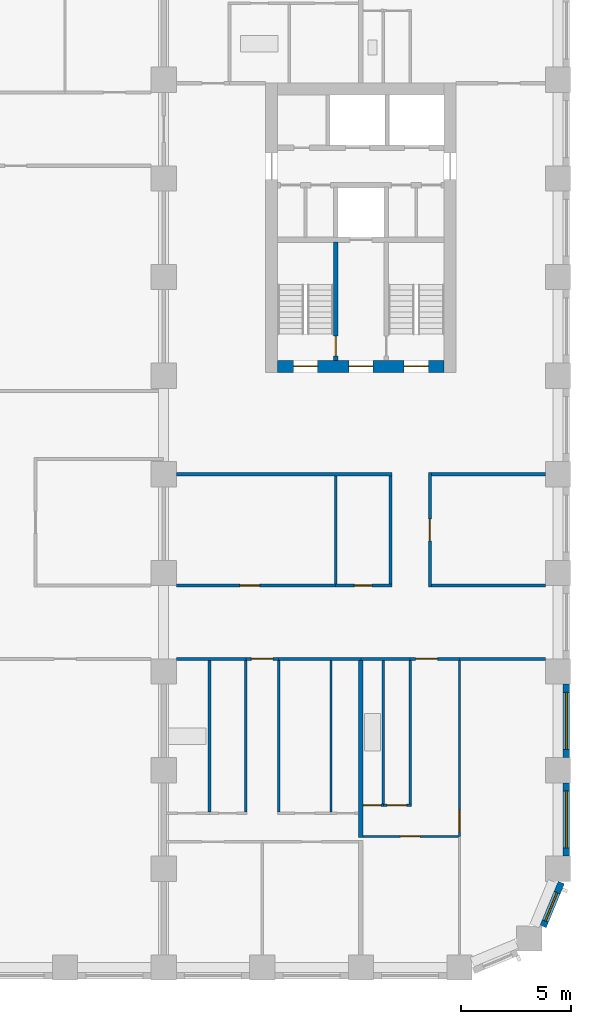
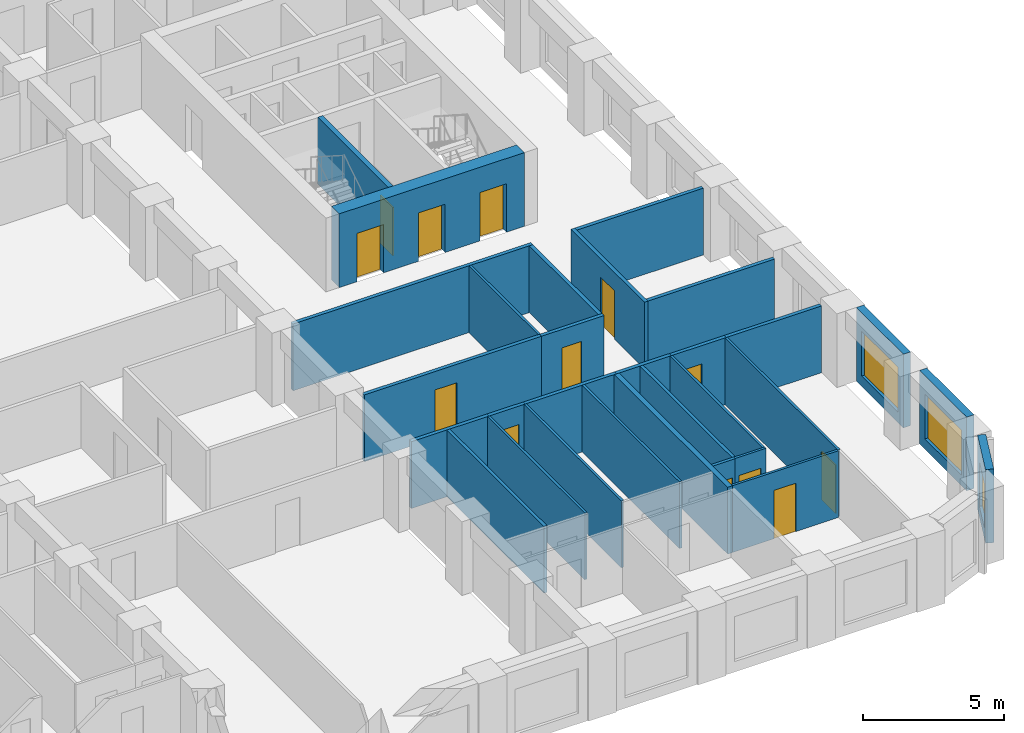
# One storey, part 5 of 12: 30 walls, 13 doors, 3 windows, 16 openings.
"""IFC4 building model written with IfcOpenShell, lengths in metres."""

from ifc_helpers import new_model, si_unit, direction, frame, frame_2d, origin, place, context, subcontext, project, spatial, rectangle, extrude, material, layer, layer_set, type_object, element, fill, save


model = new_model("IFC4")

# Units and contexts
model_context = context("Model", 3, precision=1e-05, world=origin(), true_north=direction((0.0, 1.0)))
body_context = subcontext(model_context, "Body", "Model", "MODEL_VIEW")
ifc_project = project(units=[si_unit("LENGTHUNIT", "METRE"), si_unit("AREAUNIT", "SQUARE_METRE"), si_unit("VOLUMEUNIT", "CUBIC_METRE"), si_unit("PLANEANGLEUNIT", "RADIAN"), si_unit("MASSUNIT", "GRAM", prefix="KILO")], contexts=[model_context])

# Site, building, storey
site_placement = place(None, origin())
site = spatial("IfcSite", under=ifc_project, at=site_placement, CompositionType="ELEMENT")
building_placement = place(site_placement, origin())
building = spatial("IfcBuilding", under=site, at=building_placement, Name="Girih Gate Residences", CompositionType="ELEMENT")
storey_placement = place(building_placement, frame((0.0, 0.0, 112.0)))
storey = spatial("IfcBuildingStorey", under=building, at=storey_placement, Name="L31", CompositionType="ELEMENT", Elevation=112.0)

# Wall
ifc_material_1 = material(Name="Gypsum board on steel studs", Category="steel")
ifc_layer_1 = layer(ifc_material_1, 0.14990234375)
ifc_layer_set_1 = layer_set([ifc_layer_1], Name="Compartment wall 150 mm")
wall_type_1 = type_object("IfcWallType", Name="Compartment wall 150 mm", PredefinedType="PARTITIONING", material=ifc_layer_set_1)
wall_1_placement = place(storey_placement, frame((40.5, 14.074951171875, 0.0), z_axis=(0.0, 0.0, 1.0), x_axis=(1.0, 0.0, 0.0)))
element("IfcWall", 1, at=wall_1_placement, inside=storey, type_object=wall_type_1, Name="L31 partition", PredefinedType="PARTITIONING", context=body_context, shape_type="SweptSolid", body=[
    extrude(rectangle(XDim=2.25, YDim=0.14990234375, at=frame_2d((1.125, 0.0))), origin(), (0.0, 0.0, 1.0), 2.89990234375),
])

# Wall, opening, door
wall_2_placement = place(storey_placement, frame((45.0, 14.074951171875, 0.0), z_axis=(0.0, 0.0, 1.0), x_axis=(-1.0, 0.0, 0.0)))
wall_2 = element("IfcWall", 2, at=wall_2_placement, inside=storey, type_object=wall_type_1, Name="L31 partition", PredefinedType="PARTITIONING", context=body_context, shape_type="SweptSolid", body=[
    extrude(rectangle(XDim=2.25, YDim=0.14990234375, at=frame_2d((1.125, 0.0))), origin(), (0.0, 0.0, 1.0), 2.89990234375),
])
opening_1_placement = place(wall_2_placement, frame((1.0, 0.0, 0.0)))
opening_1 = element("IfcOpeningElement", 3, at=opening_1_placement, cuts=wall_2, Name="Opening A31-021", PredefinedType="OPENING", context=body_context, shape_type="SweptSolid", body=[
    extrude(rectangle(XDim=1.0, YDim=2.10009765625, at=frame_2d((0.5, 1.050048828125))), frame((0.0, 0.0849609375, 0.0), z_axis=(0.0, -1.0, 0.0), x_axis=(1.0, 0.0, 0.0)), (0.0, 0.0, 1.0), 0.169921875),
])
ifc_material_2 = material(Name="Timber, fire-rated core", Category="wood")
door_type_1 = type_object("IfcDoorType", Name="Flat entrance door 1000x2100 FD30S", OperationType="NOTDEFINED", PredefinedType="DOOR", material=ifc_material_2)
door_1_placement = place(opening_1_placement, origin())
door_1 = element("IfcDoor", 4, at=door_1_placement, inside=storey, type_object=door_type_1, Name="Door A31-021", OperationType="SINGLE_SWING_RIGHT", OverallHeight=2.10009765625, OverallWidth=1.0, PredefinedType="DOOR", context=body_context, shape_type="SweptSolid", body=[
    extrude(rectangle(XDim=1.0, YDim=2.10009765625, at=frame_2d((0.5, 1.050048828125))), frame((0.0, 0.02490234375, 0.0), z_axis=(0.0, -1.0, 0.0), x_axis=(1.0, 0.0, 0.0)), (0.0, 0.0, 1.0), 0.050048828125),
])
fill(opening_1, door_1)

# Walls
wall_3_placement = place(storey_placement, frame((45.0, 14.074951171875, 0.0), z_axis=(0.0, 0.0, 1.0), x_axis=(1.0, 0.0, 0.0)))
element("IfcWall", 5, at=wall_3_placement, inside=storey, type_object=wall_type_1, Name="L31 partition", PredefinedType="PARTITIONING", context=body_context, shape_type="SweptSolid", body=[
    extrude(rectangle(XDim=3.925048828125, YDim=0.14990234375, at=frame_2d((1.96240234375, 0.0))), origin(), (0.0, 0.0, 1.0), 2.89990234375),
])
wall_4_placement = place(storey_placement, frame((32.074951171875, 14.074951171875, 0.0), z_axis=(0.0, 0.0, 1.0), x_axis=(1.0, 0.0, 0.0)))
element("IfcWall", 6, at=wall_4_placement, inside=storey, type_object=wall_type_1, Name="L31 partition", PredefinedType="PARTITIONING", context=body_context, shape_type="SweptSolid", body=[
    extrude(rectangle(XDim=3.175048828125, YDim=0.14990234375, at=frame_2d((1.58740234375, 0.0))), origin(), (0.0, 0.0, 1.0), 2.89990234375),
])

# Wall, opening, door
wall_5_placement = place(storey_placement, frame((36.75, 14.074951171875, 0.0), z_axis=(0.0, 0.0, 1.0), x_axis=(-1.0, 0.0, 0.0)))
wall_5 = element("IfcWall", 7, at=wall_5_placement, inside=storey, type_object=wall_type_1, Name="L31 partition", PredefinedType="PARTITIONING", context=body_context, shape_type="SweptSolid", body=[
    extrude(rectangle(XDim=1.5, YDim=0.14990234375, at=frame_2d((0.75, 0.0))), origin(), (0.0, 0.0, 1.0), 2.89990234375),
])
opening_2_placement = place(wall_5_placement, frame((0.25, 0.0, 0.0)))
opening_2 = element("IfcOpeningElement", 8, at=opening_2_placement, cuts=wall_5, Name="Opening A31-028", PredefinedType="OPENING", context=body_context, shape_type="SweptSolid", body=[
    extrude(rectangle(XDim=1.0, YDim=2.10009765625, at=frame_2d((0.5, 1.050048828125))), frame((0.0, 0.0849609375, 0.0), z_axis=(0.0, -1.0, 0.0), x_axis=(1.0, 0.0, 0.0)), (0.0, 0.0, 1.0), 0.169921875),
])
door_2_placement = place(opening_2_placement, origin())
door_2 = element("IfcDoor", 9, at=door_2_placement, inside=storey, type_object=door_type_1, Name="Door A31-028", OperationType="SINGLE_SWING_RIGHT", OverallHeight=2.10009765625, OverallWidth=1.0, PredefinedType="DOOR", context=body_context, shape_type="SweptSolid", body=[
    extrude(rectangle(XDim=1.0, YDim=2.10009765625, at=frame_2d((0.5, 1.050048828125))), frame((0.0, 0.02490234375, 0.0), z_axis=(0.0, -1.0, 0.0), x_axis=(1.0, 0.0, 0.0)), (0.0, 0.0, 1.0), 0.050048828125),
])
fill(opening_2, door_2)

# Wall
wall_6_placement = place(storey_placement, frame((36.75, 14.074951171875, 0.0), z_axis=(0.0, 0.0, 1.0), x_axis=(1.0, 0.0, 0.0)))
element("IfcWall", 10, at=wall_6_placement, inside=storey, type_object=wall_type_1, Name="L31 partition", PredefinedType="PARTITIONING", context=body_context, shape_type="SweptSolid", body=[
    extrude(rectangle(XDim=3.75, YDim=0.14990234375, at=frame_2d((1.875, 0.0))), origin(), (0.0, 0.0, 1.0), 2.89990234375),
])

# Wall, opening, door
wall_7_placement = place(storey_placement, frame((32.074951171875, 17.425048828125, 0.0), z_axis=(0.0, 0.0, 1.0), x_axis=(1.0, 0.0, 0.0)))
wall_7 = element("IfcWall", 11, at=wall_7_placement, inside=storey, type_object=wall_type_1, Name="L31 partition", PredefinedType="PARTITIONING", context=body_context, shape_type="SweptSolid", body=[
    extrude(rectangle(XDim=7.275146484375, YDim=0.14990234375, at=frame_2d((3.6376953125, 0.0))), origin(), (0.0, 0.0, 1.0), 2.89990234375),
])
opening_3_placement = place(wall_7_placement, frame((2.89990234375, 0.0, 0.0)))
opening_3 = element("IfcOpeningElement", 12, at=opening_3_placement, cuts=wall_7, Name="Opening A31-048", PredefinedType="OPENING", context=body_context, shape_type="SweptSolid", body=[
    extrude(rectangle(XDim=0.89990234375, YDim=2.10009765625, at=frame_2d((0.449951171875, 1.050048828125))), frame((0.0, 0.0849609375, 0.0), z_axis=(0.0, -1.0, 0.0), x_axis=(1.0, 0.0, 0.0)), (0.0, 0.0, 1.0), 0.169921875),
])
ifc_material_3 = material(Name="Timber", Category="wood")
door_type_2 = type_object("IfcDoorType", Name="Service room door 900x2100", OperationType="NOTDEFINED", PredefinedType="DOOR", material=ifc_material_3)
door_3_placement = place(opening_3_placement, origin())
door_3 = element("IfcDoor", 13, at=door_3_placement, inside=storey, type_object=door_type_2, Name="Door A31-048", OperationType="SINGLE_SWING_LEFT", OverallHeight=2.10009765625, OverallWidth=0.89990234375, PredefinedType="DOOR", context=body_context, shape_type="SweptSolid", body=[
    extrude(rectangle(XDim=0.89990234375, YDim=2.10009765625, at=frame_2d((0.449951171875, 1.050048828125))), frame((0.0, 0.02490234375, 0.0), z_axis=(0.0, -1.0, 0.0), x_axis=(1.0, 0.0, 0.0)), (0.0, 0.0, 1.0), 0.050048828125),
])
fill(opening_3, door_3)

wall_8_placement = place(storey_placement, frame((39.35009765625, 17.425048828125, 0.0), z_axis=(0.0, 0.0, 1.0), x_axis=(1.0, 0.0, 0.0)))
wall_8 = element("IfcWall", 14, at=wall_8_placement, inside=storey, type_object=wall_type_1, Name="L31 partition", PredefinedType="PARTITIONING", context=body_context, shape_type="SweptSolid", body=[
    extrude(rectangle(XDim=2.574951171875, YDim=0.14990234375, at=frame_2d((1.28759765625, 0.0))), origin(), (0.0, 0.0, 1.0), 2.89990234375),
])
opening_4_placement = place(wall_8_placement, frame((0.85009765625, 0.0, 0.0)))
opening_4 = element("IfcOpeningElement", 15, at=opening_4_placement, cuts=wall_8, Name="Opening A31-050", PredefinedType="OPENING", context=body_context, shape_type="SweptSolid", body=[
    extrude(rectangle(XDim=0.800048828125, YDim=2.10009765625, at=frame_2d((0.39990234375, 1.050048828125))), frame((0.0, 0.0849609375, 0.0), z_axis=(0.0, -1.0, 0.0), x_axis=(1.0, 0.0, 0.0)), (0.0, 0.0, 1.0), 0.169921875),
])
door_type_3 = type_object("IfcDoorType", Name="Bathroom door 800x2100", OperationType="NOTDEFINED", PredefinedType="DOOR", material=ifc_material_3)
door_4_placement = place(opening_4_placement, origin())
door_4 = element("IfcDoor", 16, at=door_4_placement, inside=storey, type_object=door_type_3, Name="Door A31-050", OperationType="SINGLE_SWING_LEFT", OverallHeight=2.10009765625, OverallWidth=0.800048828125, PredefinedType="DOOR", context=body_context, shape_type="SweptSolid", body=[
    extrude(rectangle(XDim=0.800048828125, YDim=2.10009765625, at=frame_2d((0.39990234375, 1.050048828125))), frame((0.0, 0.02490234375, 0.0), z_axis=(0.0, -1.0, 0.0), x_axis=(1.0, 0.0, 0.0)), (0.0, 0.0, 1.0), 0.050048828125),
])
fill(opening_4, door_4)

# Walls
wall_9_placement = place(storey_placement, frame((43.72509765625, 17.425048828125, 0.0), z_axis=(0.0, 0.0, 1.0), x_axis=(1.0, 0.0, 0.0)))
element("IfcWall", 17, at=wall_9_placement, inside=storey, type_object=wall_type_1, Name="L31 partition", PredefinedType="PARTITIONING", context=body_context, shape_type="SweptSolid", body=[
    extrude(rectangle(XDim=5.199951171875, YDim=0.14990234375, at=frame_2d((2.60009765625, 0.0))), origin(), (0.0, 0.0, 1.0), 2.89990234375),
])
wall_10_placement = place(storey_placement, frame((32.074951171875, 22.5, 0.0), z_axis=(0.0, 0.0, 1.0), x_axis=(1.0, 0.0, 0.0)))
element("IfcWall", 18, at=wall_10_placement, inside=storey, type_object=wall_type_1, Name="L31 partition", PredefinedType="PARTITIONING", context=body_context, shape_type="SweptSolid", body=[
    extrude(rectangle(XDim=9.85009765625, YDim=0.14990234375, at=frame_2d((4.925048828125, 0.0))), origin(), (0.0, 0.0, 1.0), 2.89990234375),
])
wall_11_placement = place(storey_placement, frame((43.72509765625, 22.5, 0.0), z_axis=(0.0, 0.0, 1.0), x_axis=(1.0, 0.0, 0.0)))
element("IfcWall", 19, at=wall_11_placement, inside=storey, type_object=wall_type_1, Name="L31 partition", PredefinedType="PARTITIONING", context=body_context, shape_type="SweptSolid", body=[
    extrude(rectangle(XDim=5.199951171875, YDim=0.14990234375, at=frame_2d((2.60009765625, 0.0))), origin(), (0.0, 0.0, 1.0), 2.89990234375),
])
wall_12_placement = place(storey_placement, frame((41.85009765625, 17.5, 0.0), z_axis=(0.0, 0.0, 1.0), x_axis=(0.0, 1.0, 0.0)))
element("IfcWall", 20, at=wall_12_placement, inside=storey, type_object=wall_type_1, Name="L31 partition", PredefinedType="PARTITIONING", context=body_context, shape_type="SweptSolid", body=[
    extrude(rectangle(XDim=4.925048828125, YDim=0.14990234375, at=frame_2d((2.46240234375, 0.0))), origin(), (0.0, 0.0, 1.0), 2.89990234375),
])

# Wall, opening, door
wall_13_placement = place(storey_placement, frame((43.64990234375, 22.574951171875, 0.0), z_axis=(0.0, 0.0, 1.0), x_axis=(0.0, -1.0, 0.0)))
wall_13 = element("IfcWall", 21, at=wall_13_placement, inside=storey, type_object=wall_type_1, Name="L31 partition", PredefinedType="PARTITIONING", context=body_context, shape_type="SweptSolid", body=[
    extrude(rectangle(XDim=5.224853515625, YDim=0.14990234375, at=frame_2d((2.6123046875, 0.0))), origin(), (0.0, 0.0, 1.0), 2.89990234375),
])
opening_5_placement = place(wall_13_placement, frame((2.112548828125, 0.0, 0.0)))
opening_5 = element("IfcOpeningElement", 22, at=opening_5_placement, cuts=wall_13, Name="Opening A31-052", PredefinedType="OPENING", context=body_context, shape_type="SweptSolid", body=[
    extrude(rectangle(XDim=1.0, YDim=2.10009765625, at=frame_2d((0.5, 1.050048828125))), frame((0.0, 0.0849609375, 0.0), z_axis=(0.0, -1.0, 0.0), x_axis=(1.0, 0.0, 0.0)), (0.0, 0.0, 1.0), 0.169921875),
])
door_type_4 = type_object("IfcDoorType", Name="Amenity room door 1000x2100 FD30S", OperationType="NOTDEFINED", PredefinedType="DOOR", material=ifc_material_2)
door_5_placement = place(opening_5_placement, origin())
door_5 = element("IfcDoor", 23, at=door_5_placement, inside=storey, type_object=door_type_4, Name="Door A31-052", OperationType="SINGLE_SWING_RIGHT", OverallHeight=2.10009765625, OverallWidth=1.0, PredefinedType="DOOR", context=body_context, shape_type="SweptSolid", body=[
    extrude(rectangle(XDim=1.0, YDim=2.10009765625, at=frame_2d((0.5, 1.050048828125))), frame((0.0, 0.02490234375, 0.0), z_axis=(0.0, -1.0, 0.0), x_axis=(1.0, 0.0, 0.0)), (0.0, 0.0, 1.0), 0.050048828125),
])
fill(opening_5, door_5)

# Wall, openings, doors
ifc_material_4 = material(Name="Concrete C60/75", Category="concrete")
ifc_layer_2 = layer(ifc_material_4, 0.550048828125)
ifc_layer_set_2 = layer_set([ifc_layer_2], Name="Core wall RC 550 Concrete C60/75")
wall_type_2 = type_object("IfcWallType", Name="Core wall RC 550 Concrete C60/75", PredefinedType="SOLIDWALL", material=ifc_layer_set_2)
wall_14_placement = place(storey_placement, frame((36.699951171875, 27.425048828125, 0.0), z_axis=(0.0, 0.0, 1.0), x_axis=(1.0, 0.0, 0.0)))
wall_14 = element("IfcWall", 24, at=wall_14_placement, inside=storey, type_object=wall_type_2, Name="Core wall E-S L31", PredefinedType="SOLIDWALL", context=body_context, shape_type="SweptSolid", body=[
    extrude(rectangle(XDim=7.60009765625, YDim=0.550048828125, at=frame_2d((3.800048828125, 0.0))), origin(), (0.0, 0.0, 1.0), 3.199951171875),
])
opening_6_placement = place(wall_14_placement, frame((5.77490234375, 0.0, 0.0)))
opening_6 = element("IfcOpeningElement", 25, at=opening_6_placement, cuts=wall_14, Name="Opening D-L31-E-011", PredefinedType="OPENING", context=body_context, shape_type="SweptSolid", body=[
    extrude(rectangle(XDim=1.10009765625, YDim=2.10009765625, at=frame_2d((0.550048828125, 1.050048828125))), frame((0.0, 0.284912109375, 0.0), z_axis=(0.0, -1.0, 0.0), x_axis=(1.0, 0.0, 0.0)), (0.0, 0.0, 1.0), 0.570068359375),
])
opening_7_placement = place(wall_14_placement, frame((3.25, 0.0, 0.0)))
opening_7 = element("IfcOpeningElement", 26, at=opening_7_placement, cuts=wall_14, Name="Opening D-L31-E-012", PredefinedType="OPENING", context=body_context, shape_type="SweptSolid", body=[
    extrude(rectangle(XDim=1.10009765625, YDim=2.10009765625, at=frame_2d((0.550048828125, 1.050048828125))), frame((0.0, 0.284912109375, 0.0), z_axis=(0.0, -1.0, 0.0), x_axis=(1.0, 0.0, 0.0)), (0.0, 0.0, 1.0), 0.570068359375),
])
opening_8_placement = place(wall_14_placement, frame((0.72509765625, 0.0, 0.0)))
opening_8 = element("IfcOpeningElement", 27, at=opening_8_placement, cuts=wall_14, Name="Opening D-L31-E-013", PredefinedType="OPENING", context=body_context, shape_type="SweptSolid", body=[
    extrude(rectangle(XDim=1.10009765625, YDim=2.10009765625, at=frame_2d((0.550048828125, 1.050048828125))), frame((0.0, 0.284912109375, 0.0), z_axis=(0.0, -1.0, 0.0), x_axis=(1.0, 0.0, 0.0)), (0.0, 0.0, 1.0), 0.570068359375),
])
ifc_material_5 = material(Name="Painted steel, fire-resisting", Category="steel")
door_type_5 = type_object("IfcDoorType", Name="Fire door 1100x2100", OperationType="SINGLE_SWING_LEFT", PredefinedType="DOOR", material=ifc_material_5)
door_6_placement = place(opening_6_placement, origin())
door_6 = element("IfcDoor", 28, at=door_6_placement, inside=storey, type_object=door_type_5, Name="L31 E core door sta-out", OperationType="SINGLE_SWING_LEFT", OverallHeight=2.10009765625, OverallWidth=1.10009765625, PredefinedType="DOOR", context=body_context, shape_type="SweptSolid", body=[
    extrude(rectangle(XDim=1.10009765625, YDim=2.10009765625, at=frame_2d((0.550048828125, 1.050048828125))), frame((0.0, 0.02490234375, 0.0), z_axis=(0.0, -1.0, 0.0), x_axis=(1.0, 0.0, 0.0)), (0.0, 0.0, 1.0), 0.050048828125),
])
fill(opening_6, door_6)
door_7_placement = place(opening_7_placement, origin())
door_7 = element("IfcDoor", 29, at=door_7_placement, inside=storey, type_object=door_type_5, Name="L31 E core door ffl-out", OperationType="SINGLE_SWING_LEFT", OverallHeight=2.10009765625, OverallWidth=1.10009765625, PredefinedType="DOOR", context=body_context, shape_type="SweptSolid", body=[
    extrude(rectangle(XDim=1.10009765625, YDim=2.10009765625, at=frame_2d((0.550048828125, 1.050048828125))), frame((0.0, 0.02490234375, 0.0), z_axis=(0.0, -1.0, 0.0), x_axis=(1.0, 0.0, 0.0)), (0.0, 0.0, 1.0), 0.050048828125),
])
fill(opening_7, door_7)
door_8_placement = place(opening_8_placement, origin())
door_8 = element("IfcDoor", 30, at=door_8_placement, inside=storey, type_object=door_type_5, Name="L31 E core door stb-out", OperationType="SINGLE_SWING_LEFT", OverallHeight=2.10009765625, OverallWidth=1.10009765625, PredefinedType="DOOR", context=body_context, shape_type="SweptSolid", body=[
    extrude(rectangle(XDim=1.10009765625, YDim=2.10009765625, at=frame_2d((0.550048828125, 1.050048828125))), frame((0.0, 0.02490234375, 0.0), z_axis=(0.0, -1.0, 0.0), x_axis=(1.0, 0.0, 0.0)), (0.0, 0.0, 1.0), 0.050048828125),
])
fill(opening_8, door_8)

# Wall, opening, door
ifc_layer_3 = layer(ifc_material_1, 0.10009765625)
ifc_layer_set_3 = layer_set([ifc_layer_3], Name="Partition 100 mm")
wall_type_3 = type_object("IfcWallType", Name="Partition 100 mm", PredefinedType="PARTITIONING", material=ifc_layer_set_3)
wall_15_placement = place(storey_placement, frame((44.949951171875, 5.97509765625, 0.0), z_axis=(0.0, 0.0, 1.0), x_axis=(-1.0, 0.0, 0.0)))
wall_15 = element("IfcWall", 31, at=wall_15_placement, inside=storey, type_object=wall_type_3, Name="L31 partition", PredefinedType="PARTITIONING", context=body_context, shape_type="SweptSolid", body=[
    extrude(rectangle(XDim=4.349853515625, YDim=0.10009765625, at=frame_2d((2.1748046875, 0.0))), origin(), (0.0, 0.0, 1.0), 2.89990234375),
])
opening_9_placement = place(wall_15_placement, frame((1.75, 0.0, 0.0)))
opening_9 = element("IfcOpeningElement", 32, at=opening_9_placement, cuts=wall_15, Name="Opening A31-018", PredefinedType="OPENING", context=body_context, shape_type="SweptSolid", body=[
    extrude(rectangle(XDim=0.89990234375, YDim=2.10009765625, at=frame_2d((0.449951171875, 1.050048828125))), frame((0.0, 0.06005859375, 0.0), z_axis=(0.0, -1.0, 0.0), x_axis=(1.0, 0.0, 0.0)), (0.0, 0.0, 1.0), 0.1201171875),
])
door_type_6 = type_object("IfcDoorType", Name="Bedroom door 900x2100", OperationType="NOTDEFINED", PredefinedType="DOOR", material=ifc_material_3)
door_9_placement = place(opening_9_placement, origin())
door_9 = element("IfcDoor", 33, at=door_9_placement, inside=storey, type_object=door_type_6, Name="Door A31-018", OperationType="SINGLE_SWING_RIGHT", OverallHeight=2.10009765625, OverallWidth=0.89990234375, PredefinedType="DOOR", context=body_context, shape_type="SweptSolid", body=[
    extrude(rectangle(XDim=0.89990234375, YDim=2.10009765625, at=frame_2d((0.449951171875, 1.050048828125))), frame((0.0, 0.02490234375, 0.0), z_axis=(0.0, -1.0, 0.0), x_axis=(1.0, 0.0, 0.0)), (0.0, 0.0, 1.0), 0.050048828125),
])
fill(opening_9, door_9)

wall_16_placement = place(storey_placement, frame((41.522705078125, 7.39501953125, 0.0), z_axis=(0.0, 0.0, 1.0), x_axis=(1.0, 0.0, 0.0)))
wall_16 = element("IfcWall", 34, at=wall_16_placement, inside=storey, type_object=wall_type_3, Name="L31 partition", PredefinedType="PARTITIONING", context=body_context, shape_type="SweptSolid", body=[
    extrude(rectangle(XDim=1.27734375, YDim=0.10009765625, at=frame_2d((0.638671875, 0.0))), origin(), (0.0, 0.0, 1.0), 2.89990234375),
])
opening_10_placement = place(wall_16_placement, frame((0.16357421875, 0.0, 0.0)))
opening_10 = element("IfcOpeningElement", 35, at=opening_10_placement, cuts=wall_16, Name="Opening A31-019", PredefinedType="OPENING", context=body_context, shape_type="SweptSolid", body=[
    extrude(rectangle(XDim=0.89990234375, YDim=2.10009765625, at=frame_2d((0.449951171875, 1.050048828125))), frame((0.0, 0.06005859375, 0.0), z_axis=(0.0, -1.0, 0.0), x_axis=(1.0, 0.0, 0.0)), (0.0, 0.0, 1.0), 0.1201171875),
])
door_type_7 = type_object("IfcDoorType", Name="Kitchen door 900x2100", OperationType="NOTDEFINED", PredefinedType="DOOR", material=ifc_material_3)
door_10_placement = place(opening_10_placement, origin())
door_10 = element("IfcDoor", 36, at=door_10_placement, inside=storey, type_object=door_type_7, Name="Door A31-019", OperationType="SINGLE_SWING_LEFT", OverallHeight=2.10009765625, OverallWidth=0.89990234375, PredefinedType="DOOR", context=body_context, shape_type="SweptSolid", body=[
    extrude(rectangle(XDim=0.89990234375, YDim=2.10009765625, at=frame_2d((0.449951171875, 1.050048828125))), frame((0.0, 0.02490234375, 0.0), z_axis=(0.0, -1.0, 0.0), x_axis=(1.0, 0.0, 0.0)), (0.0, 0.0, 1.0), 0.050048828125),
])
fill(opening_10, door_10)

# Wall
wall_17_placement = place(storey_placement, frame((42.75, 7.445068359375, 0.0), z_axis=(0.0, 0.0, 1.0), x_axis=(0.0, 1.0, 0.0)))
element("IfcWall", 37, at=wall_17_placement, inside=storey, type_object=wall_type_3, Name="L31 partition", PredefinedType="PARTITIONING", context=body_context, shape_type="SweptSolid", body=[
    extrude(rectangle(XDim=6.554931640625, YDim=0.10009765625, at=frame_2d((3.27734375, 0.0))), origin(), (0.0, 0.0, 1.0), 2.89990234375),
])

# Wall, opening, door
wall_18_placement = place(storey_placement, frame((45.0, 14.0, 0.0), z_axis=(0.0, 0.0, 1.0), x_axis=(0.0, -1.0, 0.0)))
wall_18 = element("IfcWall", 38, at=wall_18_placement, inside=storey, type_object=wall_type_3, Name="L31 partition", PredefinedType="PARTITIONING", context=body_context, shape_type="SweptSolid", body=[
    extrude(rectangle(XDim=8.02490234375, YDim=0.10009765625, at=frame_2d((4.012451171875, 0.0))), origin(), (0.0, 0.0, 1.0), 2.89990234375),
])
opening_11_placement = place(wall_18_placement, frame((6.81494140625, 0.0, 0.0)))
opening_11 = element("IfcOpeningElement", 39, at=opening_11_placement, cuts=wall_18, Name="Opening A31-020", PredefinedType="OPENING", context=body_context, shape_type="SweptSolid", body=[
    extrude(rectangle(XDim=1.0, YDim=2.10009765625, at=frame_2d((0.5, 1.050048828125))), frame((0.0, 0.06005859375, 0.0), z_axis=(0.0, -1.0, 0.0), x_axis=(1.0, 0.0, 0.0)), (0.0, 0.0, 1.0), 0.1201171875),
])
door_type_8 = type_object("IfcDoorType", Name="Living room door 1000x2100", OperationType="NOTDEFINED", PredefinedType="DOOR", material=ifc_material_3)
door_11_placement = place(opening_11_placement, origin())
door_11 = element("IfcDoor", 40, at=door_11_placement, inside=storey, type_object=door_type_8, Name="Door A31-020", OperationType="SINGLE_SWING_RIGHT", OverallHeight=2.10009765625, OverallWidth=1.0, PredefinedType="DOOR", context=body_context, shape_type="SweptSolid", body=[
    extrude(rectangle(XDim=1.0, YDim=2.10009765625, at=frame_2d((0.5, 1.050048828125))), frame((0.0, 0.02490234375, 0.0), z_axis=(0.0, -1.0, 0.0), x_axis=(1.0, 0.0, 0.0)), (0.0, 0.0, 1.0), 0.050048828125),
])
fill(opening_11, door_11)

# Walls
for number, where, z_axis, x_axis, name in (
    (41, (36.75, 7.0849609375, 0.0), (0.0, 0.0, 1.0), (0.0, 1.0, 0.0), "L31 partition"),
    (42, (35.25, 7.0849609375, 0.0), (0.0, 0.0, 1.0), (0.0, 1.0, 0.0), "L31 partition"),
    (43, (39.133056640625, 7.0849609375, 0.0), (0.0, 0.0, 1.0), (0.0, 1.0, 0.0), "L31 partition"),
):
    element("IfcWall", number, at=place(storey_placement, frame(where, z_axis=z_axis, x_axis=x_axis)), inside=storey, type_object=wall_type_3, Name=name, PredefinedType="PARTITIONING", context=body_context, shape_type="SweptSolid", body=[
        extrude(rectangle(XDim=6.9150390625, YDim=0.10009765625, at=frame_2d((3.45751953125, 0.0))), origin(), (0.0, 0.0, 1.0), 2.89990234375),
    ])
wall_19_placement = place(storey_placement, frame((39.35009765625, 17.5, 0.0), z_axis=(0.0, 0.0, 1.0), x_axis=(0.0, 1.0, 0.0)))
element("IfcWall", 44, at=wall_19_placement, inside=storey, type_object=wall_type_3, Name="L31 partition", PredefinedType="PARTITIONING", context=body_context, shape_type="SweptSolid", body=[
    extrude(rectangle(XDim=4.925048828125, YDim=0.10009765625, at=frame_2d((2.46240234375, 0.0))), origin(), (0.0, 0.0, 1.0), 2.89990234375),
])
ifc_layer_4 = layer(ifc_material_1, 0.199951171875)
ifc_layer_set_4 = layer_set([ifc_layer_4], Name="Party wall 200 mm")
wall_type_4 = type_object("IfcWallType", Name="Party wall 200 mm", PredefinedType="PARTITIONING", material=ifc_layer_set_4)
wall_20_placement = place(storey_placement, frame((40.5, 5.925048828125, 0.0), z_axis=(0.0, 0.0, 1.0), x_axis=(0.0, 1.0, 0.0)))
element("IfcWall", 45, at=wall_20_placement, inside=storey, type_object=wall_type_4, Name="L31 partition", PredefinedType="PARTITIONING", context=body_context, shape_type="SweptSolid", body=[
    extrude(rectangle(XDim=8.074951171875, YDim=0.199951171875, at=frame_2d((4.03759765625, 0.0))), origin(), (0.0, 0.0, 1.0), 2.89990234375),
])

# Wall, opening, window
ifc_material_6 = material(Name="Precast concrete C50/60", Category="concrete")
ifc_layer_5 = layer(ifc_material_6, 0.080078125, Name="Outer leaf")
ifc_material_7 = material(Name="Rigid PIR insulation")
ifc_layer_6 = layer(ifc_material_7, 0.14990234375, Name="Insulation")
ifc_material_8 = material(Name="Precast concrete C40/50", Category="concrete")
ifc_layer_7 = layer(ifc_material_8, 0.070068359375, Name="Inner leaf")
ifc_layer_set_5 = layer_set([ifc_layer_5, ifc_layer_6, ifc_layer_7], Name="Precast concrete C50/60 external wall 300")
wall_type_5 = type_object("IfcWallType", Name="Precast concrete C50/60 external wall 300", PredefinedType="SOLIDWALL", material=ifc_layer_set_5)
wall_21_placement = place(storey_placement, frame((49.64404296875, 3.86767578125, 0.0), z_axis=(0.0, 0.0, 1.0), x_axis=(-0.382723818695, -0.923862802911, 0.0)))
wall_21 = element("IfcWall", 46, at=wall_21_placement, inside=storey, type_object=wall_type_5, Name="External wall SE0482_0013.0", PredefinedType="SOLIDWALL", context=body_context, shape_type="SweptSolid", body=[
    extrude(rectangle(XDim=2.163818359375, YDim=0.300048828125, at=frame_2d((1.08203125, 0.0))), origin(), (0.0, 0.0, 1.0), 3.199951171875),
])
opening_12_placement = place(wall_21_placement, frame((0.492919921875, 0.0, 0.449951171875)))
opening_12 = element("IfcOpeningElement", 47, at=opening_12_placement, cuts=wall_21, Name="Opening W-2D", PredefinedType="OPENING", context=body_context, shape_type="SweptSolid", body=[
    extrude(rectangle(XDim=1.39990234375, YDim=1.949951171875, at=frame_2d((0.699951171875, 0.97509765625))), frame((0.0, 0.159912109375, 0.0), z_axis=(0.0, -1.0, 0.0), x_axis=(1.0, 0.0, 0.0)), (0.0, 0.0, 1.0), 0.320068359375),
])
ifc_material_9 = material(Name="Double glazing in aluminium frame", Category="aluminium")
window_type_1 = type_object("IfcWindowType", Name="Window W-2D 1400x1950", PartitioningType="SINGLE_PANEL", PredefinedType="WINDOW", material=ifc_material_9)
window_1_placement = place(opening_12_placement, origin())
window_1 = element("IfcWindow", 48, at=window_1_placement, inside=storey, type_object=window_type_1, Name="Window W-2D SE0482_0013.0", OverallHeight=1.949951171875, OverallWidth=1.39990234375, PartitioningType="SINGLE_PANEL", PredefinedType="WINDOW", context=body_context, shape_type="SweptSolid", body=[
    extrude(rectangle(XDim=1.39990234375, YDim=1.949951171875, at=frame_2d((0.699951171875, 0.97509765625))), frame((0.0, 0.030029296875, 0.0), z_axis=(0.0, -1.0, 0.0), x_axis=(1.0, 0.0, 0.0)), (0.0, 0.0, 1.0), 0.06005859375),
])
fill(opening_12, window_1)

wall_22_placement = place(storey_placement, frame((49.875, 8.425048828125, 0.0), z_axis=(0.0, 0.0, 1.0), x_axis=(0.0, -1.0, 0.0)))
wall_22 = element("IfcWall", 49, at=wall_22_placement, inside=storey, type_object=wall_type_5, Name="External wall E0495_0045.0", PredefinedType="SOLIDWALL", context=body_context, shape_type="SweptSolid", body=[
    extrude(rectangle(XDim=3.35009765625, YDim=0.300048828125, at=frame_2d((1.675048828125, 0.0))), origin(), (0.0, 0.0, 1.0), 3.199951171875),
])
opening_13_placement = place(wall_22_placement, frame((0.375, 0.0, 0.449951171875)))
opening_13 = element("IfcOpeningElement", 50, at=opening_13_placement, cuts=wall_22, Name="Opening W-1A", PredefinedType="OPENING", context=body_context, shape_type="SweptSolid", body=[
    extrude(rectangle(XDim=2.60009765625, YDim=1.949951171875, at=frame_2d((1.300048828125, 0.97509765625))), frame((0.0, 0.159912109375, 0.0), z_axis=(0.0, -1.0, 0.0), x_axis=(1.0, 0.0, 0.0)), (0.0, 0.0, 1.0), 0.320068359375),
])
window_type_2 = type_object("IfcWindowType", Name="Window W-1A 2600x1950", PartitioningType="SINGLE_PANEL", PredefinedType="WINDOW", material=ifc_material_9)
window_2_placement = place(opening_13_placement, origin())
window_2 = element("IfcWindow", 51, at=window_2_placement, inside=storey, type_object=window_type_2, Name="Window W-1A E0495_0045.0", OverallHeight=1.949951171875, OverallWidth=2.60009765625, PartitioningType="SINGLE_PANEL", PredefinedType="WINDOW", context=body_context, shape_type="SweptSolid", body=[
    extrude(rectangle(XDim=2.60009765625, YDim=1.949951171875, at=frame_2d((1.300048828125, 0.97509765625))), frame((0.0, 0.030029296875, 0.0), z_axis=(0.0, -1.0, 0.0), x_axis=(1.0, 0.0, 0.0)), (0.0, 0.0, 1.0), 0.06005859375),
])
fill(opening_13, window_2)

wall_23_placement = place(storey_placement, frame((49.875, 12.925048828125, 0.0), z_axis=(0.0, 0.0, 1.0), x_axis=(0.0, -1.0, 0.0)))
wall_23 = element("IfcWall", 52, at=wall_23_placement, inside=storey, type_object=wall_type_5, Name="External wall E0495_0045.1", PredefinedType="SOLIDWALL", context=body_context, shape_type="SweptSolid", body=[
    extrude(rectangle(XDim=3.35009765625, YDim=0.300048828125, at=frame_2d((1.675048828125, 0.0))), origin(), (0.0, 0.0, 1.0), 3.199951171875),
])
opening_14_placement = place(wall_23_placement, frame((0.375, 0.0, 0.449951171875)))
opening_14 = element("IfcOpeningElement", 53, at=opening_14_placement, cuts=wall_23, Name="Opening W-1A", PredefinedType="OPENING", context=body_context, shape_type="SweptSolid", body=[
    extrude(rectangle(XDim=2.60009765625, YDim=1.949951171875, at=frame_2d((1.300048828125, 0.97509765625))), frame((0.0, 0.159912109375, 0.0), z_axis=(0.0, -1.0, 0.0), x_axis=(1.0, 0.0, 0.0)), (0.0, 0.0, 1.0), 0.320068359375),
])
window_3_placement = place(opening_14_placement, origin())
window_3 = element("IfcWindow", 54, at=window_3_placement, inside=storey, type_object=window_type_2, Name="Window W-1A E0495_0045.1", OverallHeight=1.949951171875, OverallWidth=2.60009765625, PartitioningType="SINGLE_PANEL", PredefinedType="WINDOW", context=body_context, shape_type="SweptSolid", body=[
    extrude(rectangle(XDim=2.60009765625, YDim=1.949951171875, at=frame_2d((1.300048828125, 0.97509765625))), frame((0.0, 0.030029296875, 0.0), z_axis=(0.0, -1.0, 0.0), x_axis=(1.0, 0.0, 0.0)), (0.0, 0.0, 1.0), 0.06005859375),
])
fill(opening_14, window_3)

# Wall, opening, door
ifc_material_10 = material(Name="Concrete C40/50", Category="concrete")
ifc_layer_8 = layer(ifc_material_10, 0.199951171875)
ifc_layer_set_6 = layer_set([ifc_layer_8], Name="Shaft wall 200")
wall_type_6 = type_object("IfcWallType", Name="Shaft wall 200", PredefinedType="SOLIDWALL", material=ifc_layer_set_6)
wall_24_placement = place(storey_placement, frame((39.35009765625, 27.699951171875, 0.0), z_axis=(0.0, 0.0, 1.0), x_axis=(0.0, 1.0, 0.0)))
wall_24 = element("IfcWall", 55, at=wall_24_placement, inside=storey, type_object=wall_type_6, Name="L31 E core wall V2a", PredefinedType="SOLIDWALL", context=body_context, shape_type="SweptSolid", body=[
    extrude(rectangle(XDim=5.400146484375, YDim=0.199951171875, at=frame_2d((2.7001953125, 0.0))), origin(), (0.0, 0.0, 1.0), 2.89990234375),
])
opening_15_placement = place(wall_24_placement, frame((0.199951171875, 0.0, 0.0)))
opening_15 = element("IfcOpeningElement", 56, at=opening_15_placement, cuts=wall_24, Name="Opening D-L31-E-002", PredefinedType="OPENING", context=body_context, shape_type="SweptSolid", body=[
    extrude(rectangle(XDim=0.89990234375, YDim=2.10009765625, at=frame_2d((0.449951171875, 1.050048828125))), frame((0.0, 0.10986328125, 0.0), z_axis=(0.0, -1.0, 0.0), x_axis=(1.0, 0.0, 0.0)), (0.0, 0.0, 1.0), 0.219970703125),
])
door_type_9 = type_object("IfcDoorType", Name="Fire door 900x2100", OperationType="SINGLE_SWING_LEFT", PredefinedType="DOOR", material=ifc_material_5)
door_12_placement = place(opening_15_placement, origin())
door_12 = element("IfcDoor", 57, at=door_12_placement, inside=storey, type_object=door_type_9, Name="L31 E door stair 2 to firefighting lobby", OperationType="SINGLE_SWING_LEFT", OverallHeight=2.10009765625, OverallWidth=0.89990234375, PredefinedType="DOOR", context=body_context, shape_type="SweptSolid", body=[
    extrude(rectangle(XDim=0.89990234375, YDim=2.10009765625, at=frame_2d((0.449951171875, 1.050048828125))), frame((0.0, 0.02490234375, 0.0), z_axis=(0.0, -1.0, 0.0), x_axis=(1.0, 0.0, 0.0)), (0.0, 0.0, 1.0), 0.050048828125),
])
fill(opening_15, door_12)

ifc_layer_9 = layer(ifc_material_1, 0.125)
ifc_layer_set_7 = layer_set([ifc_layer_9], Name="Wet room wall 125 mm")
wall_type_7 = type_object("IfcWallType", Name="Wet room wall 125 mm", PredefinedType="PARTITIONING", material=ifc_layer_set_7)
wall_25_placement = place(storey_placement, frame((40.60009765625, 7.39501953125, 0.0), z_axis=(0.0, 0.0, 1.0), x_axis=(1.0, 0.0, 0.0)))
wall_25 = element("IfcWall", 58, at=wall_25_placement, inside=storey, type_object=wall_type_7, Name="L31 partition", PredefinedType="PARTITIONING", context=body_context, shape_type="SweptSolid", body=[
    extrude(rectangle(XDim=0.922607421875, YDim=0.125, at=frame_2d((0.46142578125, 0.0))), origin(), (0.0, 0.0, 1.0), 2.89990234375),
])
opening_16_placement = place(wall_25_placement, frame((0.011474609375, 0.0, 0.0)))
opening_16 = element("IfcOpeningElement", 59, at=opening_16_placement, cuts=wall_25, Name="Opening A31-017", PredefinedType="OPENING", context=body_context, shape_type="SweptSolid", body=[
    extrude(rectangle(XDim=0.800048828125, YDim=2.10009765625, at=frame_2d((0.39990234375, 1.050048828125))), frame((0.0, 0.072509765625, 0.0), z_axis=(0.0, -1.0, 0.0), x_axis=(1.0, 0.0, 0.0)), (0.0, 0.0, 1.0), 0.14501953125),
])
door_13_placement = place(opening_16_placement, origin())
door_13 = element("IfcDoor", 60, at=door_13_placement, inside=storey, type_object=door_type_3, Name="Door A31-017", OperationType="SINGLE_SWING_LEFT", OverallHeight=2.10009765625, OverallWidth=0.800048828125, PredefinedType="DOOR", context=body_context, shape_type="SweptSolid", body=[
    extrude(rectangle(XDim=0.800048828125, YDim=2.10009765625, at=frame_2d((0.39990234375, 1.050048828125))), frame((0.0, 0.02490234375, 0.0), z_axis=(0.0, -1.0, 0.0), x_axis=(1.0, 0.0, 0.0)), (0.0, 0.0, 1.0), 0.050048828125),
])
fill(opening_16, door_13)

# Walls
wall_26_placement = place(storey_placement, frame((41.52294921875, 7.45751953125, 0.0), z_axis=(0.0, 0.0, 1.0), x_axis=(0.0, 1.0, 0.0)))
element("IfcWall", 61, at=wall_26_placement, inside=storey, type_object=wall_type_7, Name="L31 partition", PredefinedType="PARTITIONING", context=body_context, shape_type="SweptSolid", body=[
    extrude(rectangle(XDim=6.54248046875, YDim=0.125, at=frame_2d((3.271240234375, 0.0))), origin(), (0.0, 0.0, 1.0), 2.89990234375),
])
wall_27_placement = place(storey_placement, frame((33.591064453125, 7.097412109375, 0.0), z_axis=(0.0, 0.0, 1.0), x_axis=(0.0, 1.0, 0.0)))
element("IfcWall", 62, at=wall_27_placement, inside=storey, type_object=wall_type_7, Name="L31 partition", PredefinedType="PARTITIONING", context=body_context, shape_type="SweptSolid", body=[
    extrude(rectangle(XDim=6.902587890625, YDim=0.125, at=frame_2d((3.451171875, 0.0))), origin(), (0.0, 0.0, 1.0), 2.89990234375),
])

save(model, "model.ifc")
